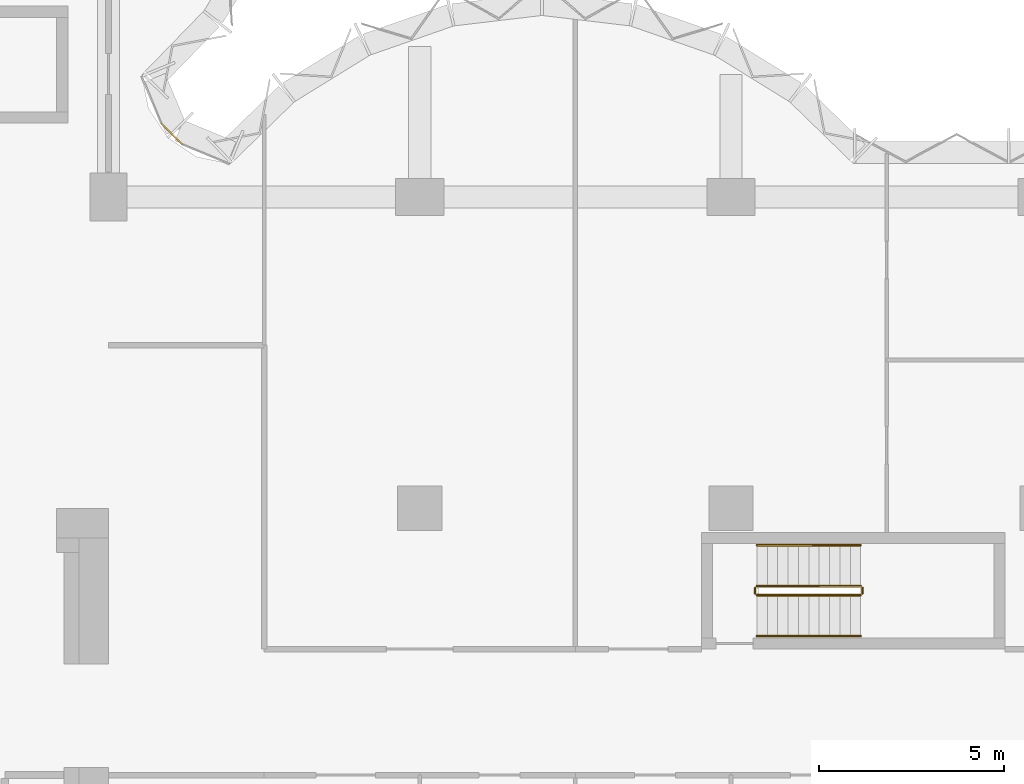
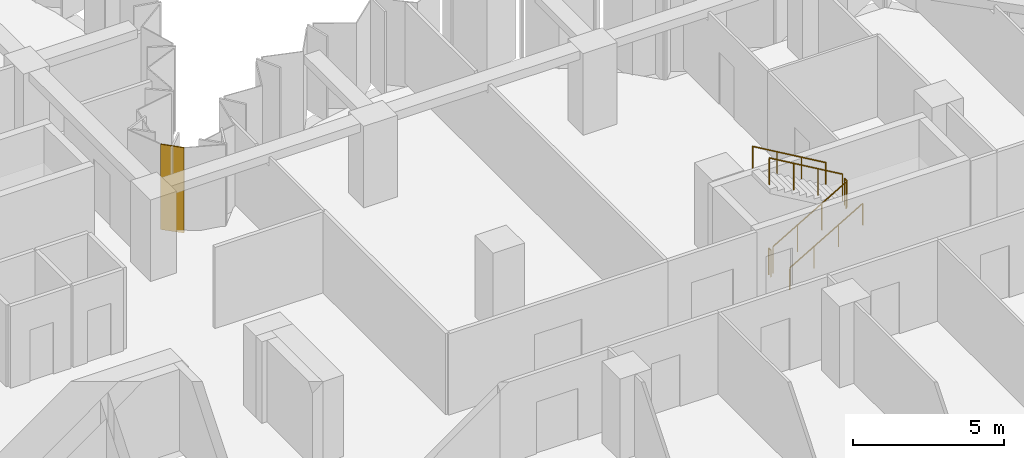
# One storey, part 11 of 11: 6 railings, 1 covering, 1 element without a shape of its own.
"""IFC4 building model written with IfcOpenShell, lengths in metres."""

from ifc_helpers import new_model, si_unit, direction, frame, origin, origin_2d, place, context, subcontext, project, spatial, polyline, circle, outline, extrude, material, layer, layer_set, type_object, element, aggregate, save


model = new_model("IFC4")

# Units and contexts
model_context = context("Model", 3, precision=1e-05, world=origin(), true_north=direction((0.0, 1.0)))
body_context = subcontext(model_context, "Body", "Model", "MODEL_VIEW")
ifc_project = project(units=[si_unit("LENGTHUNIT", "METRE"), si_unit("AREAUNIT", "SQUARE_METRE"), si_unit("VOLUMEUNIT", "CUBIC_METRE"), si_unit("PLANEANGLEUNIT", "RADIAN"), si_unit("MASSUNIT", "GRAM", prefix="KILO")], contexts=[model_context])

# Site, building, storey
site_placement = place(None, origin())
site = spatial("IfcSite", under=ifc_project, at=site_placement, CompositionType="ELEMENT")
building_placement = place(site_placement, origin())
building = spatial("IfcBuilding", under=site, at=building_placement, Name="Brevane Broadcast Tower", CompositionType="ELEMENT")
storey_placement = place(building_placement, frame((0.0, 0.0, 152.89990234375)))
storey = spatial("IfcBuildingStorey", under=building, at=storey_placement, Name="L38", CompositionType="ELEMENT", Elevation=152.89990234375)

# Railings
ifc_material_1 = material(Name="Steel S355", Category="steel")
railing_type_1 = type_object("IfcRailingType", Name="Exit stair guard", PredefinedType="GUARDRAIL", material=ifc_material_1)
railing_1_placement = place(storey_placement, frame((42.699951171875, 14.449951171875, 0.163818359375)))
element("IfcRailing", 1, at=railing_1_placement, inside=storey, type_object=railing_type_1, Name="L38 ST-4 stair guard 1", PredefinedType="GUARDRAIL", context=body_context, shape_type="SweptSolid", body=[
    extrude(circle(Radius=0.02392578125, at=origin_2d()), frame((0.0, 0.0, 1.076171875), z_axis=(0.863393664356, 0.0, 0.504530851732), x_axis=(0.0, 1.0, 0.0)), (0.0, 0.0, 1.0), 3.2431640625),
    extrude(circle(Radius=0.02099609375, at=origin_2d()), origin(), (0.0, 0.0, 1.0), 1.052001953125),
    extrude(circle(Radius=0.02099609375, at=origin_2d()), frame((0.933349609375, 0.0, 0.54541015625)), (0.0, 0.0, 1.0), 1.052001953125),
    extrude(circle(Radius=0.02099609375, at=origin_2d()), frame((1.86669921875, 0.0, 1.0908203125)), (0.0, 0.0, 1.0), 1.052001953125),
    extrude(circle(Radius=0.02099609375, at=origin_2d()), frame((2.800048828125, 0.0, 1.63623046875)), (0.0, 0.0, 1.0), 1.052001953125),
])
railing_2_placement = place(storey_placement, frame((45.550048828125, 14.5, 1.800048828125)))
element("IfcRailing", 2, at=railing_2_placement, inside=storey, type_object=railing_type_1, Name="L38 ST-4 stair guard 2", PredefinedType="GUARDRAIL", context=body_context, shape_type="SweptSolid", body=[
    extrude(circle(Radius=0.02392578125, at=origin_2d()), frame((0.0, 0.0, 1.076171875), z_axis=(0.0, 1.0, 0.0), x_axis=(-1.0, 0.0, 0.0)), (0.0, 0.0, 1.0), 0.14990234375),
    extrude(circle(Radius=0.02099609375, at=origin_2d()), origin(), (0.0, 0.0, 1.0), 1.052001953125),
    extrude(circle(Radius=0.02099609375, at=origin_2d()), frame((0.0, 0.14990234375, 0.0)), (0.0, 0.0, 1.0), 1.052001953125),
])
railing_3_placement = place(storey_placement, frame((45.5, 14.699951171875, 1.963623046875)))
element("IfcRailing", 3, at=railing_3_placement, inside=storey, type_object=railing_type_1, Name="L38 ST-4 stair guard 3", PredefinedType="GUARDRAIL", context=body_context, shape_type="SweptSolid", body=[
    extrude(circle(Radius=0.02392578125, at=origin_2d()), frame((0.0, 0.0, 1.076171875), z_axis=(-0.863360870873, 0.0, 0.504586966384), x_axis=(0.0, -1.0, 0.0)), (0.0, 0.0, 1.0), 3.2431640625),
    extrude(circle(Radius=0.02099609375, at=origin_2d()), origin(), (0.0, 0.0, 1.0), 1.052001953125),
    extrude(circle(Radius=0.02099609375, at=origin_2d()), frame((-0.933349609375, 0.0, 0.54541015625)), (0.0, 0.0, 1.0), 1.052001953125),
    extrude(circle(Radius=0.02099609375, at=origin_2d()), frame((-1.86669921875, 0.0, 1.091064453125)), (0.0, 0.0, 1.0), 1.052001953125),
    extrude(circle(Radius=0.02099609375, at=origin_2d()), frame((-2.800048828125, 0.0, 1.636474609375)), (0.0, 0.0, 1.0), 1.052001953125),
])
railing_4_placement = place(storey_placement, frame((42.64990234375, 14.5, 0.0)))
element("IfcRailing", 4, at=railing_4_placement, inside=storey, type_object=railing_type_1, Name="L38 ST-4 stair guard 4", PredefinedType="GUARDRAIL", context=body_context, shape_type="SweptSolid", body=[
    extrude(circle(Radius=0.02392578125, at=origin_2d()), frame((0.0, 0.0, 1.076171875), z_axis=(0.0, 1.0, 0.0), x_axis=(-1.0, 0.0, 0.0)), (0.0, 0.0, 1.0), 0.14990234375),
    extrude(circle(Radius=0.02099609375, at=origin_2d()), origin(), (0.0, 0.0, 1.0), 1.052001953125),
    extrude(circle(Radius=0.02099609375, at=origin_2d()), frame((0.0, 0.14990234375, 0.0)), (0.0, 0.0, 1.0), 1.052001953125),
])
railing_type_2 = type_object("IfcRailingType", Name="Exit stair handrail", PredefinedType="HANDRAIL", material=ifc_material_1)
railing_5_placement = place(storey_placement, frame((42.699951171875, 13.35009765625, 0.163818359375)))
element("IfcRailing", 5, at=railing_5_placement, inside=storey, type_object=railing_type_2, Name="L38 ST-4 stair handrail 1", PredefinedType="HANDRAIL", context=body_context, shape_type="SweptSolid", body=[
    extrude(circle(Radius=0.02392578125, at=origin_2d()), frame((0.0, 0.0, 0.8759765625), z_axis=(0.863393664356, 0.0, 0.504530851732), x_axis=(0.0, 1.0, 0.0)), (0.0, 0.0, 1.0), 3.2431640625),
    extrude(circle(Radius=0.02099609375, at=origin_2d()), origin(), (0.0, 0.0, 1.0), 0.851806640625),
    extrude(circle(Radius=0.02099609375, at=origin_2d()), frame((0.933349609375, 0.0, 0.54541015625)), (0.0, 0.0, 1.0), 0.851806640625),
    extrude(circle(Radius=0.02099609375, at=origin_2d()), frame((1.86669921875, 0.0, 1.0908203125)), (0.0, 0.0, 1.0), 0.851806640625),
    extrude(circle(Radius=0.02099609375, at=origin_2d()), frame((2.800048828125, 0.0, 1.63623046875)), (0.0, 0.0, 1.0), 0.851806640625),
])
railing_6_placement = place(storey_placement, frame((45.5, 15.800048828125, 1.963623046875)))
element("IfcRailing", 6, at=railing_6_placement, inside=storey, type_object=railing_type_2, Name="L38 ST-4 stair handrail 2", PredefinedType="HANDRAIL", context=body_context, shape_type="SweptSolid", body=[
    extrude(circle(Radius=0.02392578125, at=origin_2d()), frame((0.0, 0.0, 0.8759765625), z_axis=(-0.863360870873, 0.0, 0.504586966384), x_axis=(0.0, -1.0, 0.0)), (0.0, 0.0, 1.0), 3.2431640625),
    extrude(circle(Radius=0.02099609375, at=origin_2d()), origin(), (0.0, 0.0, 1.0), 0.851806640625),
    extrude(circle(Radius=0.02099609375, at=origin_2d()), frame((-0.933349609375, 0.0, 0.54541015625)), (0.0, 0.0, 1.0), 0.851806640625),
    extrude(circle(Radius=0.02099609375, at=origin_2d()), frame((-1.86669921875, 0.0, 1.091064453125)), (0.0, 0.0, 1.0), 0.851806640625),
    extrude(circle(Radius=0.02099609375, at=origin_2d()), frame((-2.800048828125, 0.0, 1.636474609375)), (0.0, 0.0, 1.0), 0.851806640625),
])

# Curtain wall, covering
ifc_material_2 = material(Name="Aluminium 6063-T6 bronze anodised", Category="aluminium")
curtain_wall_type = type_object("IfcCurtainWallType", Name="CW-1 curtain wall", PredefinedType="NOTDEFINED", material=ifc_material_2)
curtain_wall_placement = place(storey_placement, origin())
curtain_wall = element("IfcCurtainWall", 7, at=curtain_wall_placement, inside=storey, type_object=curtain_wall_type, Name="CW-1 typical tilted unit L38 inner corner", PredefinedType="NOTDEFINED")
ifc_material_3 = material(Name="Back-painted bronze glass shadow-box", Category="glass")
ifc_layer = layer(ifc_material_3, 0.0400390625)
ifc_layer_set = layer_set([ifc_layer], Name="Shadow-box panel 40")
covering_type = type_object("IfcCoveringType", Name="Shadow-box panel 40", PredefinedType="CLADDING", material=ifc_layer_set)
covering_placement = place(storey_placement, frame((0.0, 0.0, -0.14990234375)))
covering = element("IfcCovering", 8, at=covering_placement, type_object=covering_type, Name="Closure panel", PredefinedType="CLADDING", context=body_context, shape_type="SweptSolid", body=[
    extrude(outline(polyline([(27.17138671875, 26.60498046875), (27.2021484375, 26.635498046875), (26.635498046875, 27.2021484375), (26.60498046875, 27.17138671875), (27.17138671875, 26.60498046875)])), origin(), (0.0, 0.0, 1.0), 3.449951171875),
])
aggregate(curtain_wall, [covering])

save(model, "model.ifc")
